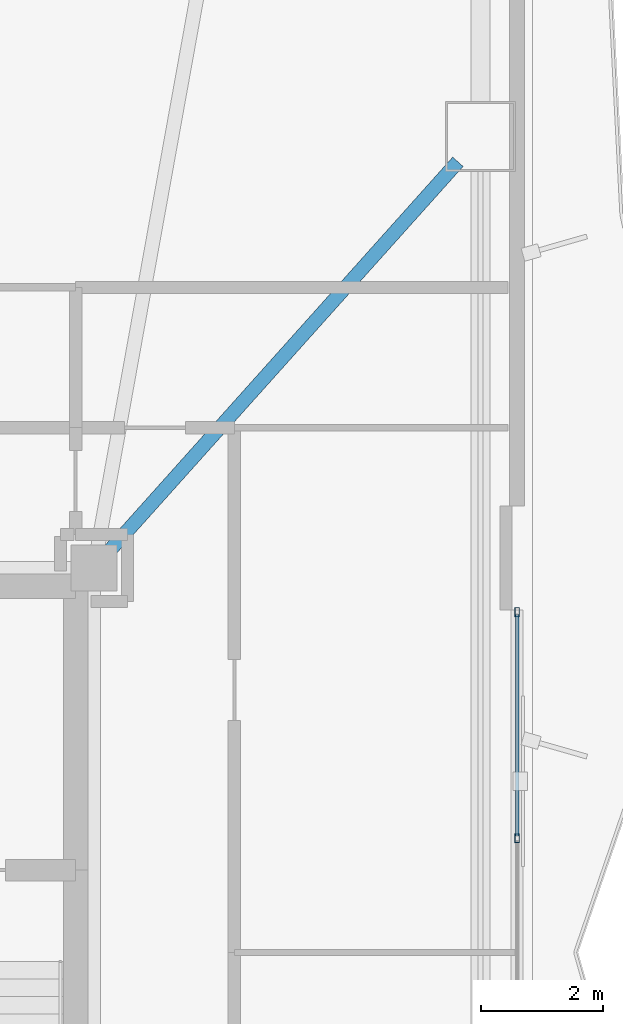
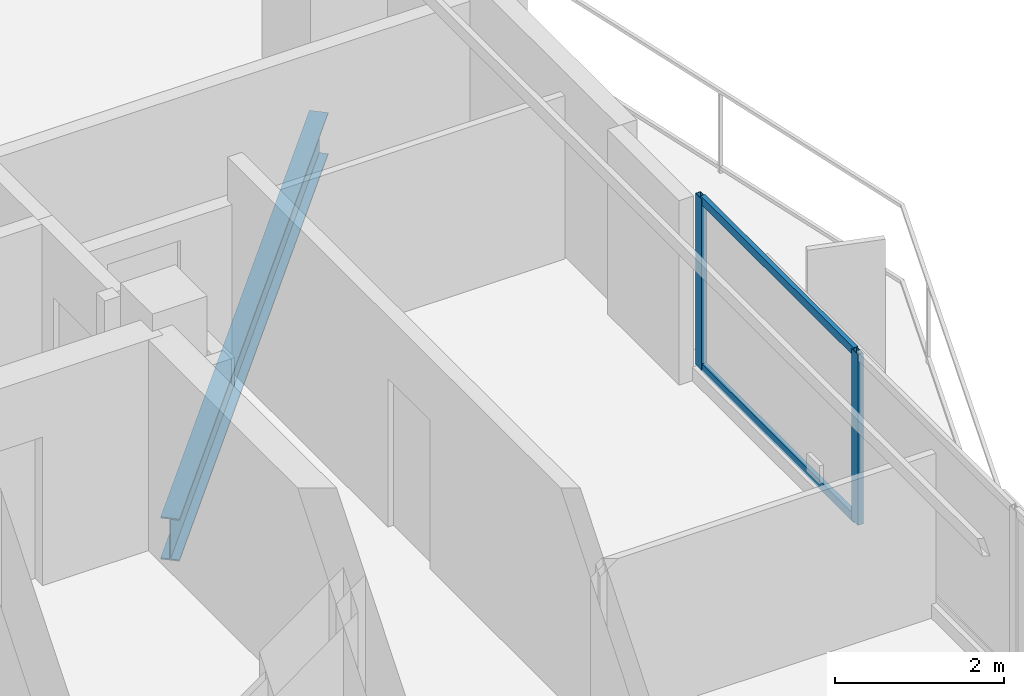
# One storey, part 10 of 23: 4 members, 1 beam, 1 element without a shape of its own.
"""IFC4 building model written with IfcOpenShell, lengths in metres."""

from ifc_helpers import new_model, si_unit, direction, frame, origin, origin_2d, place, context, subcontext, project, spatial, hollow_rectangle, i_section, extrude, material, layer, layer_set, material_profile, profile_set, type_object, element, aggregate, save


model = new_model("IFC4")

# Units and contexts
model_context = context("Model", 3, precision=1e-05, world=origin(), true_north=direction((0.0, 1.0)))
body_context = subcontext(model_context, "Body", "Model", "MODEL_VIEW")
ifc_project = project(units=[si_unit("LENGTHUNIT", "METRE"), si_unit("AREAUNIT", "SQUARE_METRE"), si_unit("VOLUMEUNIT", "CUBIC_METRE"), si_unit("PLANEANGLEUNIT", "RADIAN"), si_unit("MASSUNIT", "GRAM", prefix="KILO")], contexts=[model_context])

# Site, building, storey
site_placement = place(None, origin())
site = spatial("IfcSite", under=ifc_project, at=site_placement, CompositionType="ELEMENT")
building_placement = place(site_placement, origin())
building = spatial("IfcBuilding", under=site, at=building_placement, Name="Mersakhor Tower and Convention Hall", CompositionType="ELEMENT")
storey_placement = place(building_placement, frame((0.0, 0.0, 96.60009765625)))
storey = spatial("IfcBuildingStorey", under=building, at=storey_placement, Name="L26", CompositionType="ELEMENT", Elevation=96.60009765625)

# Beam
ifc_material_1 = material(Name="Steel S355", Category="steel")
ifc_material_profile_1 = material_profile(ifc_material_1, i_section(OverallWidth=0.22900390625, OverallDepth=0.6123046875, WebThickness=0.011962890625, FlangeThickness=0.01953125, at=origin_2d()), Name="UB 610x229x125")
ifc_profile_set_1 = profile_set([ifc_material_profile_1], Name="Steel S355")
beam_type = type_object("IfcBeamType", Name="BM-PR-610", PredefinedType="BEAM", material=ifc_profile_set_1)
beam_placement = place(storey_placement, frame((36.3369140625, 33.314453125, -0.55615234375), z_axis=(0.667217091819, 0.744863311209, 0.0), x_axis=(-0.744863311209, 0.667217091819, 0.0)))
element("IfcBeam", 1, at=beam_placement, inside=storey, type_object=beam_type, Name="L26 Primary Floor Girder FG-3", PredefinedType="BEAM", context=body_context, shape_type="SweptSolid", body=[
    extrude(i_section(OverallWidth=0.22900390625, OverallDepth=0.6123046875, WebThickness=0.011962890625, FlangeThickness=0.01953125, at=origin_2d()), origin(), (0.0, 0.0, 1.0), 8.583740234375),
])

# Curtain wall, members
ifc_material_2 = material(Name="Dark solar low-E aluminium curtain wall", Category="aluminium")
ifc_layer = layer(ifc_material_2, 0.159912109375)
ifc_layer_set = layer_set([ifc_layer], Name="Dark solar low-E aluminium curtain wall")
curtain_wall_type = type_object("IfcCurtainWallType", Name="CW-SYS-01", PredefinedType="USERDEFINED", material=ifc_layer_set)
curtain_wall_placement = place(storey_placement, origin())
curtain_wall = element("IfcCurtainWall", 2, at=curtain_wall_placement, inside=storey, type_object=curtain_wall_type, Name="L26 Dark-Glass Curtain Wall F2-B2", ObjectType="CURTAIN WALL", PredefinedType="USERDEFINED")
ifc_material_3 = material(Name="Anodised aluminium EN AW-6063 T6", Category="aluminium")
ifc_material_profile_2 = material_profile(ifc_material_3, hollow_rectangle(XDim=0.074951171875, YDim=0.14990234375, WallThickness=0.00634765625, at=origin_2d()), Name="RHS 150x75x6.3")
ifc_profile_set_2 = profile_set([ifc_material_profile_2], Name="Anodised aluminium EN AW-6063 T6")
member_type_1 = type_object("IfcMemberType", Name="CWM-150x75", PredefinedType="MULLION", material=ifc_profile_set_2)
member_1_placement = place(storey_placement, frame((43.03466796875, 32.327392578125, 0.199951171875), z_axis=(0.0, 0.0, 1.0), x_axis=(1.0, 0.0, 0.0)))
member_1 = element("IfcMember", 3, at=member_1_placement, type_object=member_type_1, Name="CW-01 mullion 1", PredefinedType="MULLION", context=body_context, shape_type="SweptSolid", body=[
    extrude(hollow_rectangle(XDim=0.074951171875, YDim=0.14990234375, WallThickness=0.00634765625, at=origin_2d()), origin(), (0.0, 0.0, 1.0), 2.469970703125),
])
member_2_placement = place(storey_placement, frame((43.03466796875, 28.62158203125, 0.199951171875), z_axis=(0.0, 0.0, 1.0), x_axis=(1.0, 0.0, 0.0)))
member_2 = element("IfcMember", 4, at=member_2_placement, type_object=member_type_1, Name="CW-01 mullion 2", PredefinedType="MULLION", context=body_context, shape_type="SweptSolid", body=[
    extrude(hollow_rectangle(XDim=0.074951171875, YDim=0.14990234375, WallThickness=0.00634765625, at=origin_2d()), origin(), (0.0, 0.0, 1.0), 2.469970703125),
])
ifc_material_4 = material(Name="Anodised aluminium EN AW-6063 T6", Category="aluminium")
ifc_material_profile_3 = material_profile(ifc_material_4, hollow_rectangle(XDim=0.06005859375, YDim=0.1201171875, WallThickness=0.0048828125, at=origin_2d()), Name="RHS 120x60x5")
ifc_profile_set_3 = profile_set([ifc_material_profile_3], Name="Anodised aluminium EN AW-6063 T6")
member_type_2 = type_object("IfcMemberType", Name="CWT-120x60", PredefinedType="USERDEFINED", material=ifc_profile_set_3)
member_3_placement = place(storey_placement, frame((43.03466796875, 32.289794921875, 0.22998046875), z_axis=(0.0, -1.0, 0.0), x_axis=(1.0, 0.0, 0.0)))
member_3 = element("IfcMember", 5, at=member_3_placement, type_object=member_type_2, Name="CW-01 transom 1.1", ObjectType="TRANSOM", PredefinedType="USERDEFINED", context=body_context, shape_type="SweptSolid", body=[
    extrude(hollow_rectangle(XDim=0.06005859375, YDim=0.1201171875, WallThickness=0.0048828125, at=origin_2d()), origin(), (0.0, 0.0, 1.0), 3.630615234375),
])
member_4_placement = place(storey_placement, frame((43.03466796875, 32.289794921875, 2.639892578125), z_axis=(0.0, -1.0, 0.0), x_axis=(1.0, 0.0, 0.0)))
member_4 = element("IfcMember", 6, at=member_4_placement, type_object=member_type_2, Name="CW-01 transom 1.2", ObjectType="TRANSOM", PredefinedType="USERDEFINED", context=body_context, shape_type="SweptSolid", body=[
    extrude(hollow_rectangle(XDim=0.06005859375, YDim=0.1201171875, WallThickness=0.0048828125, at=origin_2d()), origin(), (0.0, 0.0, 1.0), 3.630615234375),
])
aggregate(curtain_wall, [member_1, member_2, member_3, member_4])

save(model, "model.ifc")
